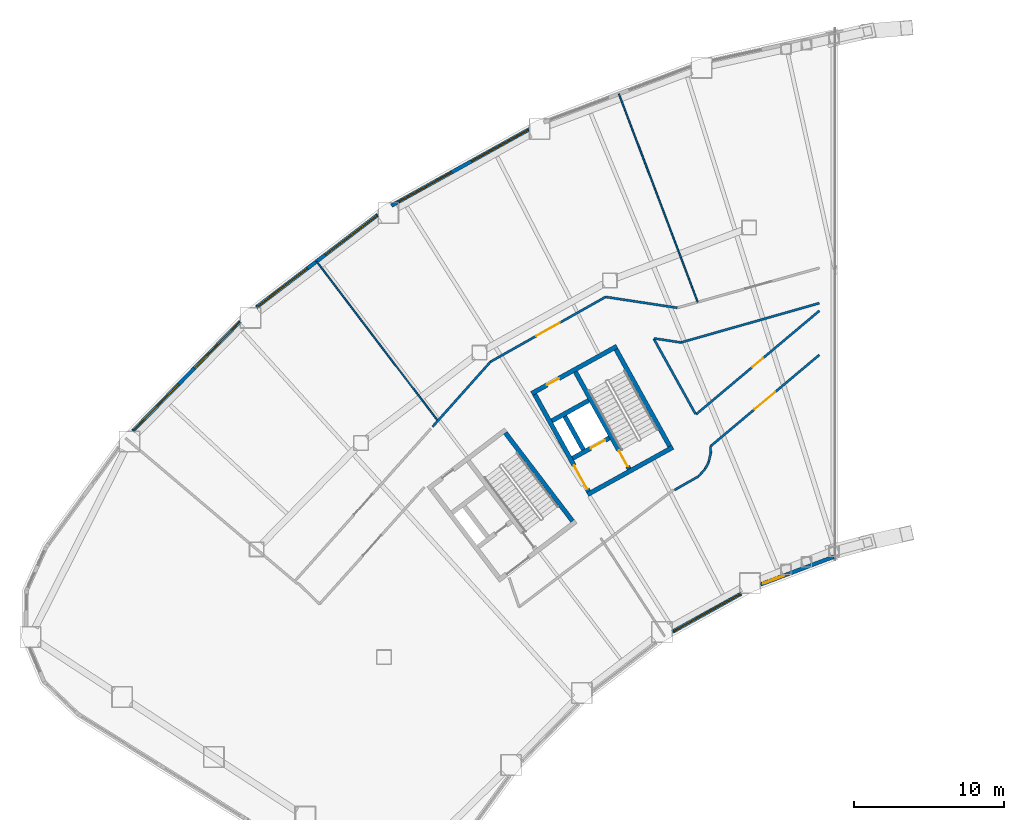
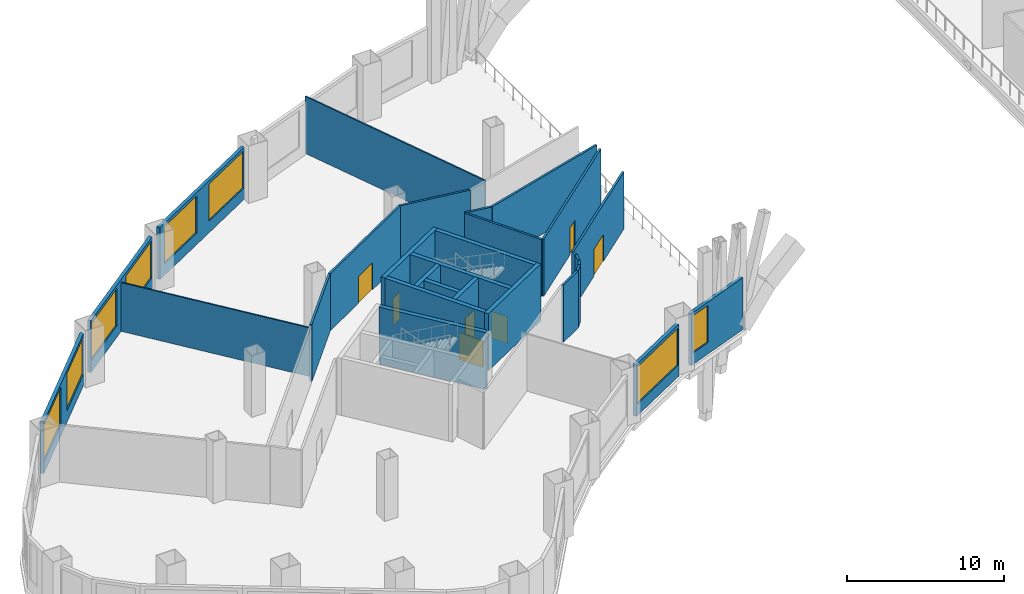
# One storey, part 7 of 14: 29 walls, 8 windows, 7 doors, 15 openings.
"""IFC4 building model written with IfcOpenShell, lengths in metres."""

from ifc_helpers import new_model, si_unit, direction, frame, frame_2d, origin, place, context, subcontext, project, spatial, rectangle, extrude, material, layer, layer_set, type_object, element, fill, save


model = new_model("IFC4")

# Units and contexts
model_context = context("Model", 3, precision=1e-05, world=origin(), true_north=direction((0.0, 1.0)))
body_context = subcontext(model_context, "Body", "Model", "MODEL_VIEW")
ifc_project = project(units=[si_unit("LENGTHUNIT", "METRE"), si_unit("AREAUNIT", "SQUARE_METRE"), si_unit("VOLUMEUNIT", "CUBIC_METRE"), si_unit("PLANEANGLEUNIT", "RADIAN"), si_unit("MASSUNIT", "GRAM", prefix="KILO")], contexts=[model_context])

# Site, building, storey
site_placement = place(None, origin())
site = spatial("IfcSite", under=ifc_project, at=site_placement, CompositionType="ELEMENT")
building_placement = place(site_placement, origin())
building = spatial("IfcBuilding", under=site, at=building_placement, Name="Tuul Gate Civic Tower", CompositionType="ELEMENT")
storey_placement = place(building_placement, frame((0.0, 0.0, 17.10009765625)))
storey = spatial("IfcBuildingStorey", under=building, at=storey_placement, Name="Level 03", CompositionType="ELEMENT", Elevation=17.10009765625)

# Walls
ifc_material_1 = material(Name="Concrete C50/60", Category="concrete")
ifc_layer_1 = layer(ifc_material_1, 0.300048828125)
ifc_layer_set_1 = layer_set([ifc_layer_1], Name="Concrete C50/60")
wall_type_1 = type_object("IfcWallType", Name="Core wall C50/60", PredefinedType="SHEAR", material=ifc_layer_set_1)
wall_1_placement = place(storey_placement, frame((-31.401123046875, -13.64111328125, 0.0), z_axis=(0.0, 0.0, 1.0), x_axis=(-0.605769822278, 0.795639945213, 0.0)))
element("IfcWall", 1, at=wall_1_placement, inside=storey, type_object=wall_type_1, Name="Core wall", PredefinedType="SHEAR", context=body_context, shape_type="SweptSolid", body=[
    extrude(rectangle(XDim=7.39990234375, YDim=0.300048828125, at=frame_2d((3.699951171875, 0.0))), origin(), (0.0, 0.0, 1.0), 4.449951171875),
])
wall_2_placement = place(storey_placement, frame((-24.711669921875, -8.7158203125, 0.0), z_axis=(0.0, 0.0, 1.0), x_axis=(-0.874629909008, -0.484791215132, 0.0)))
element("IfcWall", 2, at=wall_2_placement, inside=storey, type_object=wall_type_1, Name="Core wall", PredefinedType="SHEAR", context=body_context, shape_type="SweptSolid", body=[
    extrude(rectangle(XDim=6.5, YDim=0.300048828125, at=frame_2d((3.25, 0.0))), origin(), (0.0, 0.0, 1.0), 4.449951171875),
])

# Wall, opening, door
wall_3_placement = place(storey_placement, frame((-28.94580078125, -8.090087890625, 0.0), z_axis=(0.0, 0.0, 1.0), x_axis=(-0.874629840737, -0.484791338301, 0.0)))
wall_3 = element("IfcWall", 3, at=wall_3_placement, inside=storey, type_object=wall_type_1, Name="Core wall", PredefinedType="SHEAR", context=body_context, shape_type="SweptSolid", body=[
    extrude(rectangle(XDim=2.800048828125, YDim=0.300048828125, at=frame_2d((1.39990234375, 0.0))), origin(), (0.0, 0.0, 1.0), 4.449951171875),
])
opening_1_placement = place(wall_3_placement, frame((0.324951171875, 0.0, 0.0)))
opening_1 = element("IfcOpeningElement", 4, at=opening_1_placement, cuts=wall_3, Name="Opening LD-FF-1", PredefinedType="OPENING", context=body_context, shape_type="SweptSolid", body=[
    extrude(rectangle(XDim=1.10009765625, YDim=2.10009765625, at=frame_2d((0.550048828125, 1.050048828125))), frame((0.0, 0.16015625, 0.0), z_axis=(0.0, -1.0, 0.0), x_axis=(1.0, 0.0, 0.0)), (0.0, 0.0, 1.0), 0.320068359375),
])
ifc_material_2 = material(Name="Stainless steel", Category="steel")
door_type_1 = type_object("IfcDoorType", Name="Landing door", OperationType="DOUBLE_DOOR_SLIDING", PredefinedType="DOOR", material=ifc_material_2)
door_1_placement = place(opening_1_placement, origin())
door_1 = element("IfcDoor", 5, at=door_1_placement, inside=storey, type_object=door_type_1, Name="Fire-fighting lift FF-1 landing door", OperationType="DOUBLE_DOOR_SLIDING", OverallHeight=2.10009765625, OverallWidth=1.10009765625, PredefinedType="DOOR", context=body_context, shape_type="SweptSolid", body=[
    extrude(rectangle(XDim=1.10009765625, YDim=2.10009765625, at=frame_2d((0.550048828125, 1.050048828125))), frame((0.0, 0.02490234375, 0.0), z_axis=(0.0, -1.0, 0.0), x_axis=(1.0, 0.0, 0.0)), (0.0, 0.0, 1.0), 0.050048828125),
])
fill(opening_1, door_1)

# Wall
wall_4_placement = place(storey_placement, frame((-30.327392578125, -5.59716796875, 0.0), z_axis=(0.0, 0.0, 1.0), x_axis=(-0.874629840737, -0.484791338301, 0.0)))
element("IfcWall", 6, at=wall_4_placement, inside=storey, type_object=wall_type_1, Name="Core wall", PredefinedType="SHEAR", context=body_context, shape_type="SweptSolid", body=[
    extrude(rectangle(XDim=2.800048828125, YDim=0.300048828125, at=frame_2d((1.39990234375, 0.0))), origin(), (0.0, 0.0, 1.0), 4.449951171875),
])

# Wall, opening, door
wall_5_placement = place(storey_placement, frame((-28.4443359375, -1.98095703125, 0.0), z_axis=(0.0, 0.0, 1.0), x_axis=(-0.874629909008, -0.484791215132, 0.0)))
wall_5 = element("IfcWall", 7, at=wall_5_placement, inside=storey, type_object=wall_type_1, Name="Core wall", PredefinedType="SHEAR", context=body_context, shape_type="SweptSolid", body=[
    extrude(rectangle(XDim=6.5, YDim=0.300048828125, at=frame_2d((3.25, 0.0))), origin(), (0.0, 0.0, 1.0), 4.449951171875),
])
opening_2_placement = place(wall_5_placement, frame((4.425048828125, 0.0, 0.0)))
opening_2 = element("IfcOpeningElement", 8, at=opening_2_placement, cuts=wall_5, Name="Opening QC-D21", PredefinedType="OPENING", context=body_context, shape_type="SweptSolid", body=[
    extrude(rectangle(XDim=0.89990234375, YDim=2.10009765625, at=frame_2d((0.449951171875, 1.050048828125))), frame((0.0, 0.16015625, 0.0), z_axis=(0.0, -1.0, 0.0), x_axis=(1.0, 0.0, 0.0)), (0.0, 0.0, 1.0), 0.320068359375),
])
ifc_material_3 = material(Name="Timber door leaf", Category="wood")
door_type_2 = type_object("IfcDoorType", Name="Door D09", OperationType="NOTDEFINED", PredefinedType="DOOR", material=ifc_material_3)
door_2_placement = place(opening_2_placement, origin())
door_2 = element("IfcDoor", 9, at=door_2_placement, inside=storey, type_object=door_type_2, Name="Door QC-D21", OperationType="SINGLE_SWING_LEFT", OverallHeight=2.10009765625, OverallWidth=0.89990234375, PredefinedType="DOOR", context=body_context, shape_type="SweptSolid", body=[
    extrude(rectangle(XDim=0.89990234375, YDim=2.10009765625, at=frame_2d((0.449951171875, 1.050048828125))), frame((0.0, 0.02490234375, 0.0), z_axis=(0.0, -1.0, 0.0), x_axis=(1.0, 0.0, 0.0)), (0.0, 0.0, 1.0), 0.050048828125),
])
fill(opening_2, door_2)

# Wall
wall_6_placement = place(storey_placement, frame((-24.91552734375, -8.6572265625, 0.0), z_axis=(0.0, 0.0, 1.0), x_axis=(-0.484777133038, 0.874637714304, 0.0)))
element("IfcWall", 10, at=wall_6_placement, inside=storey, type_object=wall_type_1, Name="Core wall", PredefinedType="SHEAR", context=body_context, shape_type="SweptSolid", body=[
    extrude(rectangle(XDim=7.400146484375, YDim=0.300048828125, at=frame_2d((3.7001953125, 0.0))), origin(), (0.0, 0.0, 1.0), 4.449951171875),
])

# Wall, opening, door
wall_7_placement = place(storey_placement, frame((-27.626953125, -10.16015625, 0.0), z_axis=(0.0, 0.0, 1.0), x_axis=(-0.484751894226, 0.874651702704, 0.0)))
wall_7 = element("IfcWall", 11, at=wall_7_placement, inside=storey, type_object=wall_type_1, Name="Core wall", PredefinedType="SHEAR", context=body_context, shape_type="SweptSolid", body=[
    extrude(rectangle(XDim=7.39990234375, YDim=0.300048828125, at=frame_2d((3.699951171875, 0.0))), origin(), (0.0, 0.0, 1.0), 4.449951171875),
])
opening_3_placement = place(wall_7_placement, frame((0.199951171875, 0.0, 0.0)))
opening_3 = element("IfcOpeningElement", 12, at=opening_3_placement, cuts=wall_7, Name="Opening SD-ST-2", PredefinedType="OPENING", context=body_context, shape_type="SweptSolid", body=[
    extrude(rectangle(XDim=1.199951171875, YDim=2.10009765625, at=frame_2d((0.60009765625, 1.050048828125))), frame((0.0, 0.16015625, 0.0), z_axis=(0.0, -1.0, 0.0), x_axis=(1.0, 0.0, 0.0)), (0.0, 0.0, 1.0), 0.320068359375),
])
ifc_material_4 = material(Name="Steel", Category="steel")
door_type_3 = type_object("IfcDoorType", Name="Stair door", OperationType="NOTDEFINED", PredefinedType="DOOR", material=ifc_material_4)
door_3_placement = place(opening_3_placement, origin())
door_3 = element("IfcDoor", 13, at=door_3_placement, inside=storey, type_object=door_type_3, Name="Stair door ST-2", OperationType="SINGLE_SWING_LEFT", OverallHeight=2.10009765625, OverallWidth=1.199951171875, PredefinedType="DOOR", context=body_context, shape_type="SweptSolid", body=[
    extrude(rectangle(XDim=1.199951171875, YDim=2.10009765625, at=frame_2d((0.60009765625, 1.050048828125))), frame((0.0, 0.02490234375, 0.0), z_axis=(0.0, -1.0, 0.0), x_axis=(1.0, 0.0, 0.0)), (0.0, 0.0, 1.0), 0.050048828125),
])
fill(opening_3, door_3)

# Wall
wall_8_placement = place(storey_placement, frame((-30.680419921875, -8.8798828125, 0.0), z_axis=(0.0, 0.0, 1.0), x_axis=(-0.484724115216, 0.874667097888, 0.0)))
element("IfcWall", 14, at=wall_8_placement, inside=storey, type_object=wall_type_1, Name="Core wall", PredefinedType="SHEAR", context=body_context, shape_type="SweptSolid", body=[
    extrude(rectangle(XDim=2.550048828125, YDim=0.300048828125, at=frame_2d((1.27490234375, 0.0))), origin(), (0.0, 0.0, 1.0), 4.449951171875),
])

# Wall, opening, door
wall_9_placement = place(storey_placement, frame((-30.33837890625, -11.6630859375, 0.0), z_axis=(0.0, 0.0, 1.0), x_axis=(-0.484751894226, 0.874651702704, 0.0)))
wall_9 = element("IfcWall", 15, at=wall_9_placement, inside=storey, type_object=wall_type_1, Name="Core wall", PredefinedType="SHEAR", context=body_context, shape_type="SweptSolid", body=[
    extrude(rectangle(XDim=7.39990234375, YDim=0.300048828125, at=frame_2d((3.699951171875, 0.0))), origin(), (0.0, 0.0, 1.0), 4.449951171875),
])
opening_4_placement = place(wall_9_placement, frame((0.175048828125, 0.0, 0.0)))
opening_4 = element("IfcOpeningElement", 16, at=opening_4_placement, cuts=wall_9, Name="Opening LB-W2-FLOBBY-1", PredefinedType="OPENING", context=body_context, shape_type="SweptSolid", body=[
    extrude(rectangle(XDim=1.800048828125, YDim=2.10009765625, at=frame_2d((0.89990234375, 1.050048828125))), frame((0.0, 0.16015625, 0.0), z_axis=(0.0, -1.0, 0.0), x_axis=(1.0, 0.0, 0.0)), (0.0, 0.0, 1.0), 0.320068359375),
])
ifc_material_5 = material(Name="Steel", Category="steel")
door_type_4 = type_object("IfcDoorType", Name="Lobby door", OperationType="DOUBLE_DOOR_SINGLE_SWING", PredefinedType="DOOR", material=ifc_material_5)
door_4_placement = place(opening_4_placement, origin())
door_4 = element("IfcDoor", 17, at=door_4_placement, inside=storey, type_object=door_type_4, Name="Lobby door W2-FLOBBY", OperationType="DOUBLE_DOOR_SINGLE_SWING", OverallHeight=2.10009765625, OverallWidth=1.800048828125, PredefinedType="DOOR", context=body_context, shape_type="SweptSolid", body=[
    extrude(rectangle(XDim=1.800048828125, YDim=2.10009765625, at=frame_2d((0.89990234375, 1.050048828125))), frame((0.0, 0.02490234375, 0.0), z_axis=(0.0, -1.0, 0.0), x_axis=(1.0, 0.0, 0.0)), (0.0, 0.0, 1.0), 0.050048828125),
])
fill(opening_4, door_4)

# Wall
ifc_material_6 = material(Name="Gypsum board partition")
ifc_layer_2 = layer(ifc_material_6, 0.14990234375)
ifc_layer_set_2 = layer_set([ifc_layer_2], Name="Gypsum board partition")
wall_type_2 = type_object("IfcWallType", Name="Corridor wall P150", PredefinedType="PARTITIONING", material=ifc_layer_set_2)
wall_10_placement = place(storey_placement, frame((-29.1982421875, 1.311279296875, 0.0), z_axis=(0.0, 0.0, 1.0), x_axis=(0.988683277655, -0.150017920548, 0.0)))
element("IfcWall", 18, at=wall_10_placement, inside=storey, type_object=wall_type_2, Name="p016", PredefinedType="PARTITIONING", context=body_context, shape_type="SweptSolid", body=[
    extrude(rectangle(XDim=4.831787109375, YDim=0.14990234375, at=frame_2d((2.416015625, 0.0))), origin(), (0.0, 0.0, 1.0), 4.449951171875),
])

# Wall, opening, door
wall_11_placement = place(storey_placement, frame((-36.87451171875, -3.011962890625, 0.0), z_axis=(0.0, 0.0, 1.0), x_axis=(0.87128819125, 0.490771726761, 0.0)))
wall_11 = element("IfcWall", 19, at=wall_11_placement, inside=storey, type_object=wall_type_2, Name="p017", PredefinedType="PARTITIONING", context=body_context, shape_type="SweptSolid", body=[
    extrude(rectangle(XDim=8.80859375, YDim=0.14990234375, at=frame_2d((4.404296875, 0.0))), origin(), (0.0, 0.0, 1.0), 4.449951171875),
])
opening_5_placement = place(wall_11_placement, frame((3.504150390625, 0.0, 0.0)))
opening_5 = element("IfcOpeningElement", 20, at=opening_5_placement, cuts=wall_11, Name="Opening QC-D05", PredefinedType="OPENING", context=body_context, shape_type="SweptSolid", body=[
    extrude(rectangle(XDim=1.800048828125, YDim=2.10009765625, at=frame_2d((0.89990234375, 1.050048828125))), frame((0.0, 0.0849609375, 0.0), z_axis=(0.0, -1.0, 0.0), x_axis=(1.0, 0.0, 0.0)), (0.0, 0.0, 1.0), 0.169921875),
])
ifc_material_7 = material(Name="Timber door leaf, double", Category="wood")
door_type_5 = type_object("IfcDoorType", Name="Door D18", OperationType="DOUBLE_DOOR_SINGLE_SWING", PredefinedType="DOOR", material=ifc_material_7)
door_5_placement = place(opening_5_placement, origin())
door_5 = element("IfcDoor", 21, at=door_5_placement, inside=storey, type_object=door_type_5, Name="Door QC-D05", OperationType="DOUBLE_DOOR_SINGLE_SWING", OverallHeight=2.10009765625, OverallWidth=1.800048828125, PredefinedType="DOOR", context=body_context, shape_type="SweptSolid", body=[
    extrude(rectangle(XDim=1.800048828125, YDim=2.10009765625, at=frame_2d((0.89990234375, 1.050048828125))), frame((0.0, 0.02490234375, 0.0), z_axis=(0.0, -1.0, 0.0), x_axis=(1.0, 0.0, 0.0)), (0.0, 0.0, 1.0), 0.050048828125),
])
fill(opening_5, door_5)

# Wall
wall_12_placement = place(storey_placement, frame((-40.7451171875, -7.350830078125, 0.0), z_axis=(0.0, 0.0, 1.0), x_axis=(0.665655942801, 0.746258779388, 0.0)))
element("IfcWall", 22, at=wall_12_placement, inside=storey, type_object=wall_type_2, Name="p019", PredefinedType="PARTITIONING", context=body_context, shape_type="SweptSolid", body=[
    extrude(rectangle(XDim=5.8125, YDim=0.14990234375, at=frame_2d((2.90625, 0.0))), origin(), (0.0, 0.0, 1.0), 4.449951171875),
])

# Wall, opening, door
wall_13_placement = place(storey_placement, frame((-22.20068359375, -8.653076171875, 0.0), z_axis=(0.0, 0.0, 1.0), x_axis=(0.7657743372, 0.643109372102, 0.0)))
wall_13 = element("IfcWall", 23, at=wall_13_placement, inside=storey, type_object=wall_type_2, Name="p032", PredefinedType="PARTITIONING", context=body_context, shape_type="SweptSolid", body=[
    extrude(rectangle(XDim=9.48388671875, YDim=0.14990234375, at=frame_2d((4.741943359375, 0.0))), origin(), (0.0, 0.0, 1.0), 4.449951171875),
])
opening_6_placement = place(wall_13_placement, frame((3.842041015625, 0.0, 0.0)))
opening_6 = element("IfcOpeningElement", 24, at=opening_6_placement, cuts=wall_13, Name="Opening QC-D10", PredefinedType="OPENING", context=body_context, shape_type="SweptSolid", body=[
    extrude(rectangle(XDim=1.800048828125, YDim=2.10009765625, at=frame_2d((0.89990234375, 1.050048828125))), frame((0.0, 0.0849609375, 0.0), z_axis=(0.0, -1.0, 0.0), x_axis=(1.0, 0.0, 0.0)), (0.0, 0.0, 1.0), 0.169921875),
])
door_6_placement = place(opening_6_placement, frame((1.800048828125, 0.0, 0.0), z_axis=(0.0, 0.0, 1.0), x_axis=(-1.0, 0.0, 0.0)))
door_6 = element("IfcDoor", 25, at=door_6_placement, inside=storey, type_object=door_type_5, Name="Door QC-D10", OperationType="DOUBLE_DOOR_SINGLE_SWING", OverallHeight=2.10009765625, OverallWidth=1.800048828125, PredefinedType="DOOR", context=body_context, shape_type="SweptSolid", body=[
    extrude(rectangle(XDim=1.800048828125, YDim=2.10009765625, at=frame_2d((0.900146484375, 1.050048828125))), frame((0.0, 0.02490234375, 0.0), z_axis=(0.0, -1.0, 0.0), x_axis=(1.0, 0.0, 0.0)), (0.0, 0.0, 1.0), 0.050048828125),
])
fill(opening_6, door_6)

# Walls
wall_14_placement = place(storey_placement, frame((-24.6015625, -11.570068359375, 0.0), z_axis=(0.0, 0.0, 1.0), x_axis=(0.868527296568, 0.495641337175, 0.0)))
element("IfcWall", 26, at=wall_14_placement, inside=storey, type_object=wall_type_2, Name="p034", PredefinedType="PARTITIONING", context=body_context, shape_type="SweptSolid", body=[
    extrude(rectangle(XDim=1.849609375, YDim=0.14990234375, at=frame_2d((0.9248046875, 0.0))), origin(), (0.0, 0.0, 1.0), 4.449951171875),
])
wall_15_placement = place(storey_placement, frame((-22.986083984375, -10.64697265625, 0.0), z_axis=(0.0, 0.0, 1.0), x_axis=(0.660089072286, 0.751187337918, 0.0)))
element("IfcWall", 27, at=wall_15_placement, inside=storey, type_object=wall_type_2, Name="p035", PredefinedType="PARTITIONING", context=body_context, shape_type="SweptSolid", body=[
    extrude(rectangle(XDim=0.65380859375, YDim=0.14990234375, at=frame_2d((0.326904296875, 0.0))), origin(), (0.0, 0.0, 1.0), 4.449951171875),
])
wall_16_placement = place(storey_placement, frame((-22.554443359375, -10.15576171875, 0.0), z_axis=(0.0, 0.0, 1.0), x_axis=(0.457909875894, 0.888998619548, 0.0)))
element("IfcWall", 28, at=wall_16_placement, inside=storey, type_object=wall_type_2, Name="p036", PredefinedType="PARTITIONING", context=body_context, shape_type="SweptSolid", body=[
    extrude(rectangle(XDim=0.500732421875, YDim=0.14990234375, at=frame_2d((0.25048828125, 0.0))), origin(), (0.0, 0.0, 1.0), 4.449951171875),
])
wall_17_placement = place(storey_placement, frame((-22.3251953125, -9.710693359375, 0.0), z_axis=(0.0, 0.0, 1.0), x_axis=(0.228328655094, 0.973584113091, 0.0)))
element("IfcWall", 29, at=wall_17_placement, inside=storey, type_object=wall_type_2, Name="p037", PredefinedType="PARTITIONING", context=body_context, shape_type="SweptSolid", body=[
    extrude(rectangle(XDim=0.6318359375, YDim=0.14990234375, at=frame_2d((0.31591796875, 0.0))), origin(), (0.0, 0.0, 1.0), 4.449951171875),
])
wall_18_placement = place(storey_placement, frame((-22.207275390625, -8.669189453125, 0.0), z_axis=(0.0, 0.0, 1.0), x_axis=(0.061737674864, -0.998092410302, 0.0)))
element("IfcWall", 30, at=wall_18_placement, inside=storey, type_object=wall_type_2, Name="p038", PredefinedType="PARTITIONING", context=body_context, shape_type="SweptSolid", body=[
    extrude(rectangle(XDim=0.427001953125, YDim=0.14990234375, at=frame_2d((0.21337890625, 0.0))), origin(), (0.0, 0.0, 1.0), 4.449951171875),
])

# Wall, opening, door
wall_19_placement = place(storey_placement, frame((-23.15869140625, -6.518798828125, 0.0), z_axis=(0.0, 0.0, 1.0), x_axis=(0.765756393732, 0.643130737454, 0.0)))
wall_19 = element("IfcWall", 31, at=wall_19_placement, inside=storey, type_object=wall_type_2, Name="p058", PredefinedType="PARTITIONING", context=body_context, shape_type="SweptSolid", body=[
    extrude(rectangle(XDim=10.733154296875, YDim=0.14990234375, at=frame_2d((5.36669921875, 0.0))), origin(), (0.0, 0.0, 1.0), 4.449951171875),
])
opening_7_placement = place(wall_19_placement, frame((4.916748046875, 0.0, 0.0)))
opening_7 = element("IfcOpeningElement", 32, at=opening_7_placement, cuts=wall_19, Name="Opening QC-D16", PredefinedType="OPENING", context=body_context, shape_type="SweptSolid", body=[
    extrude(rectangle(XDim=0.89990234375, YDim=2.10009765625, at=frame_2d((0.449951171875, 1.050048828125))), frame((0.0, 0.0849609375, 0.0), z_axis=(0.0, -1.0, 0.0), x_axis=(1.0, 0.0, 0.0)), (0.0, 0.0, 1.0), 0.169921875),
])
door_7_placement = place(opening_7_placement, origin())
door_7 = element("IfcDoor", 33, at=door_7_placement, inside=storey, type_object=door_type_2, Name="Door QC-D16", OperationType="SINGLE_SWING_RIGHT", OverallHeight=2.10009765625, OverallWidth=0.89990234375, PredefinedType="DOOR", context=body_context, shape_type="SweptSolid", body=[
    extrude(rectangle(XDim=0.89990234375, YDim=2.10009765625, at=frame_2d((0.449951171875, 1.050048828125))), frame((0.0, 0.02490234375, 0.0), z_axis=(0.0, -1.0, 0.0), x_axis=(1.0, 0.0, 0.0)), (0.0, 0.0, 1.0), 0.050048828125),
])
fill(opening_7, door_7)

# Walls
wall_20_placement = place(storey_placement, frame((-25.97998046875, -1.48583984375, 0.0), z_axis=(0.0, 0.0, 1.0), x_axis=(0.485285978536, -0.874355487795, 0.0)))
element("IfcWall", 34, at=wall_20_placement, inside=storey, type_object=wall_type_2, Name="p059", PredefinedType="PARTITIONING", context=body_context, shape_type="SweptSolid", body=[
    extrude(rectangle(XDim=5.749755859375, YDim=0.14990234375, at=frame_2d((2.875, 0.0))), origin(), (0.0, 0.0, 1.0), 4.449951171875),
])
wall_21_placement = place(storey_placement, frame((-25.959228515625, -1.4560546875, 0.0), z_axis=(0.0, 0.0, 1.0), x_axis=(0.988694273437, -0.149945435649, 0.0)))
element("IfcWall", 35, at=wall_21_placement, inside=storey, type_object=wall_type_2, Name="p060", PredefinedType="PARTITIONING", context=body_context, shape_type="SweptSolid", body=[
    extrude(rectangle(XDim=1.807373046875, YDim=0.14990234375, at=frame_2d((0.90380859375, 0.0))), origin(), (0.0, 0.0, 1.0), 4.449951171875),
])
wall_22_placement = place(storey_placement, frame((-24.17041015625, -1.72705078125, 0.0), z_axis=(0.0, 0.0, 1.0), x_axis=(0.961943337204, 0.273249000015, 0.0)))
element("IfcWall", 36, at=wall_22_placement, inside=storey, type_object=wall_type_2, Name="p061", PredefinedType="PARTITIONING", context=body_context, shape_type="SweptSolid", body=[
    extrude(rectangle(XDim=9.595947265625, YDim=0.14990234375, at=frame_2d((4.7978515625, 0.0))), origin(), (0.0, 0.0, 1.0), 4.449951171875),
])

# Wall, openings, windows
ifc_material_8 = material(Name="Precast concrete C40/50", Category="concrete")
ifc_layer_3 = layer(ifc_material_8, 0.25)
ifc_layer_set_3 = layer_set([ifc_layer_3], Name="Precast concrete C40/50")
wall_type_3 = type_object("IfcWallType", Name="External wall", PredefinedType="STANDARD", material=ifc_layer_set_3)
wall_23_placement = place(storey_placement, frame((-34.2919921875, 12.494384765625, 0.0), z_axis=(0.0, 0.0, 1.0), x_axis=(-0.874646654652, -0.48476100246, 0.0)))
wall_23 = element("IfcWall", 37, at=wall_23_placement, inside=storey, type_object=wall_type_3, Name="External wall", PredefinedType="STANDARD", context=body_context, shape_type="SweptSolid", body=[
    extrude(rectangle(XDim=10.50927734375, YDim=0.25, at=frame_2d((5.254638671875, 0.0))), origin(), (0.0, 0.0, 1.0), 4.0498046875),
])
opening_8_placement = place(wall_23_placement, frame((0.1005859375, 0.0, 0.89990234375)))
opening_8 = element("IfcOpeningElement", 38, at=opening_8_placement, cuts=wall_23, Name="Opening W13", PredefinedType="OPENING", context=body_context, shape_type="SweptSolid", body=[
    extrude(rectangle(XDim=4.300048828125, YDim=2.89990234375, at=frame_2d((2.14990234375, 1.449951171875))), frame((0.0, 0.135009765625, 0.0), z_axis=(0.0, -1.0, 0.0), x_axis=(1.0, 0.0, 0.0)), (0.0, 0.0, 1.0), 0.27001953125),
])
opening_9_placement = place(wall_23_placement, frame((5.9208984375, 0.0, 0.89990234375)))
opening_9 = element("IfcOpeningElement", 39, at=opening_9_placement, cuts=wall_23, Name="Opening W85", PredefinedType="OPENING", context=body_context, shape_type="SweptSolid", body=[
    extrude(rectangle(XDim=4.050048828125, YDim=2.89990234375, at=frame_2d((2.02490234375, 1.449951171875))), frame((0.0, 0.135009765625, 0.0), z_axis=(0.0, -1.0, 0.0), x_axis=(1.0, 0.0, 0.0)), (0.0, 0.0, 1.0), 0.27001953125),
])
ifc_material_9 = material(Name="Glass", Category="glass")
window_type_1 = type_object("IfcWindowType", Name="Window W13 4300 x 2900", PartitioningType="SINGLE_PANEL", PredefinedType="WINDOW", material=ifc_material_9)
window_1_placement = place(opening_8_placement, origin())
window_1 = element("IfcWindow", 40, at=window_1_placement, inside=storey, type_object=window_type_1, Name="Window", OverallHeight=2.89990234375, OverallWidth=4.300048828125, PartitioningType="SINGLE_PANEL", PredefinedType="WINDOW", context=body_context, shape_type="SweptSolid", body=[
    extrude(rectangle(XDim=4.300048828125, YDim=2.89990234375, at=frame_2d((2.14990234375, 1.449951171875))), frame((0.0, 0.030029296875, 0.0), z_axis=(0.0, -1.0, 0.0), x_axis=(1.0, 0.0, 0.0)), (0.0, 0.0, 1.0), 0.06005859375),
])
fill(opening_8, window_1)
ifc_material_10 = material(Name="Glass", Category="glass")
window_type_2 = type_object("IfcWindowType", Name="Window W85 4050 x 2900", PartitioningType="SINGLE_PANEL", PredefinedType="WINDOW", material=ifc_material_10)
window_2_placement = place(opening_9_placement, origin())
window_2 = element("IfcWindow", 41, at=window_2_placement, inside=storey, type_object=window_type_2, Name="Window", OverallHeight=2.89990234375, OverallWidth=4.050048828125, PartitioningType="SINGLE_PANEL", PredefinedType="WINDOW", context=body_context, shape_type="SweptSolid", body=[
    extrude(rectangle(XDim=4.050048828125, YDim=2.89990234375, at=frame_2d((2.02490234375, 1.449951171875))), frame((0.0, 0.030029296875, 0.0), z_axis=(0.0, -1.0, 0.0), x_axis=(1.0, 0.0, 0.0)), (0.0, 0.0, 1.0), 0.06005859375),
])
fill(opening_9, window_2)

wall_24_placement = place(storey_placement, frame((-44.39111328125, 6.7890625, 0.0), z_axis=(0.0, 0.0, 1.0), x_axis=(-0.795598395873, -0.605824390796, 0.0)))
wall_24 = element("IfcWall", 42, at=wall_24_placement, inside=storey, type_object=wall_type_3, Name="External wall", PredefinedType="STANDARD", context=body_context, shape_type="SweptSolid", body=[
    extrude(rectangle(XDim=10.186279296875, YDim=0.25, at=frame_2d((5.09326171875, 0.0))), origin(), (0.0, 0.0, 1.0), 4.0498046875),
])
opening_10_placement = place(wall_24_placement, frame((0.088623046875, 0.0, 0.89990234375)))
opening_10 = element("IfcOpeningElement", 43, at=opening_10_placement, cuts=wall_24, Name="Opening W13", PredefinedType="OPENING", context=body_context, shape_type="SweptSolid", body=[
    extrude(rectangle(XDim=4.300048828125, YDim=2.89990234375, at=frame_2d((2.14990234375, 1.449951171875))), frame((0.0, 0.135009765625, 0.0), z_axis=(0.0, -1.0, 0.0), x_axis=(1.0, 0.0, 0.0)), (0.0, 0.0, 1.0), 0.27001953125),
])
opening_11_placement = place(wall_24_placement, frame((5.90087890625, 0.0, 0.89990234375)))
opening_11 = element("IfcOpeningElement", 44, at=opening_11_placement, cuts=wall_24, Name="Opening W84", PredefinedType="OPENING", context=body_context, shape_type="SweptSolid", body=[
    extrude(rectangle(XDim=4.199951171875, YDim=2.89990234375, at=frame_2d((2.10009765625, 1.449951171875))), frame((0.0, 0.135009765625, 0.0), z_axis=(0.0, -1.0, 0.0), x_axis=(1.0, 0.0, 0.0)), (0.0, 0.0, 1.0), 0.27001953125),
])
window_3_placement = place(opening_10_placement, origin())
window_3 = element("IfcWindow", 45, at=window_3_placement, inside=storey, type_object=window_type_1, Name="Window", OverallHeight=2.89990234375, OverallWidth=4.300048828125, PartitioningType="SINGLE_PANEL", PredefinedType="WINDOW", context=body_context, shape_type="SweptSolid", body=[
    extrude(rectangle(XDim=4.300048828125, YDim=2.89990234375, at=frame_2d((2.14990234375, 1.449951171875))), frame((0.0, 0.030029296875, 0.0), z_axis=(0.0, -1.0, 0.0), x_axis=(1.0, 0.0, 0.0)), (0.0, 0.0, 1.0), 0.06005859375),
])
fill(opening_10, window_3)
ifc_material_11 = material(Name="Glass", Category="glass")
window_type_3 = type_object("IfcWindowType", Name="Window W84 4200 x 2900", PartitioningType="SINGLE_PANEL", PredefinedType="WINDOW", material=ifc_material_11)
window_4_placement = place(opening_11_placement, origin())
window_4 = element("IfcWindow", 46, at=window_4_placement, inside=storey, type_object=window_type_3, Name="Window", OverallHeight=2.89990234375, OverallWidth=4.199951171875, PartitioningType="SINGLE_PANEL", PredefinedType="WINDOW", context=body_context, shape_type="SweptSolid", body=[
    extrude(rectangle(XDim=4.199951171875, YDim=2.89990234375, at=frame_2d((2.10009765625, 1.449951171875))), frame((0.0, 0.030029296875, 0.0), z_axis=(0.0, -1.0, 0.0), x_axis=(1.0, 0.0, 0.0)), (0.0, 0.0, 1.0), 0.06005859375),
])
fill(opening_11, window_4)

wall_25_placement = place(storey_placement, frame((-53.577880859375, -0.33154296875, 0.0), z_axis=(0.0, 0.0, 1.0), x_axis=(-0.700010487511, -0.714132562886, 0.0)))
wall_25 = element("IfcWall", 47, at=wall_25_placement, inside=storey, type_object=wall_type_3, Name="External wall", PredefinedType="STANDARD", context=body_context, shape_type="SweptSolid", body=[
    extrude(rectangle(XDim=10.217041015625, YDim=0.25, at=frame_2d((5.1083984375, 0.0))), origin(), (0.0, 0.0, 1.0), 4.0498046875),
])
opening_12_placement = place(wall_25_placement, frame((0.052490234375, 0.0, 0.89990234375)))
opening_12 = element("IfcOpeningElement", 48, at=opening_12_placement, cuts=wall_25, Name="Opening W13", PredefinedType="OPENING", context=body_context, shape_type="SweptSolid", body=[
    extrude(rectangle(XDim=4.300048828125, YDim=2.89990234375, at=frame_2d((2.14990234375, 1.449951171875))), frame((0.0, 0.135009765625, 0.0), z_axis=(0.0, -1.0, 0.0), x_axis=(1.0, 0.0, 0.0)), (0.0, 0.0, 1.0), 0.27001953125),
])
opening_13_placement = place(wall_25_placement, frame((5.858154296875, 0.0, 0.89990234375)))
opening_13 = element("IfcOpeningElement", 49, at=opening_13_placement, cuts=wall_25, Name="Opening W13", PredefinedType="OPENING", context=body_context, shape_type="SweptSolid", body=[
    extrude(rectangle(XDim=4.300048828125, YDim=2.89990234375, at=frame_2d((2.14990234375, 1.449951171875))), frame((0.0, 0.135009765625, 0.0), z_axis=(0.0, -1.0, 0.0), x_axis=(1.0, 0.0, 0.0)), (0.0, 0.0, 1.0), 0.27001953125),
])
window_5_placement = place(opening_12_placement, origin())
window_5 = element("IfcWindow", 50, at=window_5_placement, inside=storey, type_object=window_type_1, Name="Window", OverallHeight=2.89990234375, OverallWidth=4.300048828125, PartitioningType="SINGLE_PANEL", PredefinedType="WINDOW", context=body_context, shape_type="SweptSolid", body=[
    extrude(rectangle(XDim=4.300048828125, YDim=2.89990234375, at=frame_2d((2.14990234375, 1.449951171875))), frame((0.0, 0.030029296875, 0.0), z_axis=(0.0, -1.0, 0.0), x_axis=(1.0, 0.0, 0.0)), (0.0, 0.0, 1.0), 0.06005859375),
])
fill(opening_12, window_5)
window_6_placement = place(opening_13_placement, origin())
window_6 = element("IfcWindow", 51, at=window_6_placement, inside=storey, type_object=window_type_1, Name="Window", OverallHeight=2.89990234375, OverallWidth=4.300048828125, PartitioningType="SINGLE_PANEL", PredefinedType="WINDOW", context=body_context, shape_type="SweptSolid", body=[
    extrude(rectangle(XDim=4.300048828125, YDim=2.89990234375, at=frame_2d((2.14990234375, 1.449951171875))), frame((0.0, 0.030029296875, 0.0), z_axis=(0.0, -1.0, 0.0), x_axis=(1.0, 0.0, 0.0)), (0.0, 0.0, 1.0), 0.06005859375),
])
fill(opening_13, window_6)

# Wall, opening, window
wall_26_placement = place(storey_placement, frame((-24.738037109375, -21.026123046875, 0.0), z_axis=(0.0, 0.0, 1.0), x_axis=(0.874655082175, 0.4847457965, 0.0)))
wall_26 = element("IfcWall", 52, at=wall_26_placement, inside=storey, type_object=wall_type_3, Name="External wall", PredefinedType="STANDARD", context=body_context, shape_type="SweptSolid", body=[
    extrude(rectangle(XDim=5.24658203125, YDim=0.25, at=frame_2d((2.623291015625, 0.0))), origin(), (0.0, 0.0, 1.0), 4.0498046875),
])
opening_14_placement = place(wall_26_placement, frame((0.10400390625, 0.0, 0.89990234375)))
opening_14 = element("IfcOpeningElement", 53, at=opening_14_placement, cuts=wall_26, Name="Opening W88", PredefinedType="OPENING", context=body_context, shape_type="SweptSolid", body=[
    extrude(rectangle(XDim=5.050048828125, YDim=2.89990234375, at=frame_2d((2.52490234375, 1.449951171875))), frame((0.0, 0.135009765625, 0.0), z_axis=(0.0, -1.0, 0.0), x_axis=(1.0, 0.0, 0.0)), (0.0, 0.0, 1.0), 0.27001953125),
])
ifc_material_12 = material(Name="Glass", Category="glass")
window_type_4 = type_object("IfcWindowType", Name="Window W88 5050 x 2900", PartitioningType="SINGLE_PANEL", PredefinedType="WINDOW", material=ifc_material_12)
window_7_placement = place(opening_14_placement, origin())
window_7 = element("IfcWindow", 54, at=window_7_placement, inside=storey, type_object=window_type_4, Name="Window", OverallHeight=2.89990234375, OverallWidth=5.050048828125, PartitioningType="SINGLE_PANEL", PredefinedType="WINDOW", context=body_context, shape_type="SweptSolid", body=[
    extrude(rectangle(XDim=5.050048828125, YDim=2.89990234375, at=frame_2d((2.52490234375, 1.449951171875))), frame((0.0, 0.030029296875, 0.0), z_axis=(0.0, -1.0, 0.0), x_axis=(1.0, 0.0, 0.0)), (0.0, 0.0, 1.0), 0.06005859375),
])
fill(opening_14, window_7)

wall_27_placement = place(storey_placement, frame((-18.85791015625, -17.866455078125, 0.0), z_axis=(0.0, 0.0, 1.0), x_axis=(0.935343157142, 0.353741683136, 0.0)))
wall_27 = element("IfcWall", 55, at=wall_27_placement, inside=storey, type_object=wall_type_3, Name="External wall", PredefinedType="STANDARD", context=body_context, shape_type="SweptSolid", body=[
    extrude(rectangle(XDim=5.218994140625, YDim=0.25, at=frame_2d((2.609375, 0.0))), origin(), (0.0, 0.0, 1.0), 4.0498046875),
])
opening_15_placement = place(wall_27_placement, frame((0.19091796875, 0.0, 0.89990234375)))
opening_15 = element("IfcOpeningElement", 56, at=opening_15_placement, cuts=wall_27, Name="Opening W89", PredefinedType="OPENING", context=body_context, shape_type="SweptSolid", body=[
    extrude(rectangle(XDim=1.5, YDim=2.89990234375, at=frame_2d((0.75, 1.449951171875))), frame((0.0, 0.135009765625, 0.0), z_axis=(0.0, -1.0, 0.0), x_axis=(1.0, 0.0, 0.0)), (0.0, 0.0, 1.0), 0.27001953125),
])
ifc_material_13 = material(Name="Glass", Category="glass")
window_type_5 = type_object("IfcWindowType", Name="Window W89 1500 x 2900", PartitioningType="SINGLE_PANEL", PredefinedType="WINDOW", material=ifc_material_13)
window_8_placement = place(opening_15_placement, origin())
window_8 = element("IfcWindow", 57, at=window_8_placement, inside=storey, type_object=window_type_5, Name="Window", OverallHeight=2.89990234375, OverallWidth=1.5, PartitioningType="SINGLE_PANEL", PredefinedType="WINDOW", context=body_context, shape_type="SweptSolid", body=[
    extrude(rectangle(XDim=1.5, YDim=2.89990234375, at=frame_2d((0.75, 1.449951171875))), frame((0.0, 0.030029296875, 0.0), z_axis=(0.0, -1.0, 0.0), x_axis=(1.0, 0.0, 0.0)), (0.0, 0.0, 1.0), 0.06005859375),
])
fill(opening_15, window_8)

# Walls
ifc_material_14 = material(Name="Gypsum board partition")
ifc_layer_4 = layer(ifc_material_14, 0.10009765625)
ifc_layer_set_4 = layer_set([ifc_layer_4], Name="Gypsum board partition")
wall_type_4 = type_object("IfcWallType", Name="Partition P100", PredefinedType="PARTITIONING", material=ifc_layer_set_4)
wall_28_placement = place(storey_placement, frame((-28.30908203125, 14.861328125, 0.0), z_axis=(0.0, 0.0, 1.0), x_axis=(0.353706743001, -0.935356370565, 0.0)))
element("IfcWall", 58, at=wall_28_placement, inside=storey, type_object=wall_type_4, Name="p013", PredefinedType="PARTITIONING", context=body_context, shape_type="SweptSolid", body=[
    extrude(rectangle(XDim=14.8544921875, YDim=0.10009765625, at=frame_2d((7.42724609375, 0.0))), origin(), (0.0, 0.0, 1.0), 4.449951171875),
])
ifc_material_15 = material(Name="Gypsum board partition")
ifc_layer_5 = layer(ifc_material_15, 0.10009765625)
ifc_layer_set_5 = layer_set([ifc_layer_5], Name="Gypsum board partition")
wall_type_5 = type_object("IfcWallType", Name="Partition P100 3800 HIGH", PredefinedType="PARTITIONING", material=ifc_layer_set_5)
wall_29_placement = place(storey_placement, frame((-48.484619140625, 3.677978515625, 0.0), z_axis=(0.0, 0.0, 1.0), x_axis=(0.605796007764, -0.795620007904, 0.0)))
element("IfcWall", 59, at=wall_29_placement, inside=storey, type_object=wall_type_5, Name="p015", PredefinedType="PARTITIONING", context=body_context, shape_type="SweptSolid", body=[
    extrude(rectangle(XDim=13.36181640625, YDim=0.10009765625, at=frame_2d((6.680908203125, 0.0))), origin(), (0.0, 0.0, 1.0), 3.7998046875),
])

save(model, "model.ifc")
